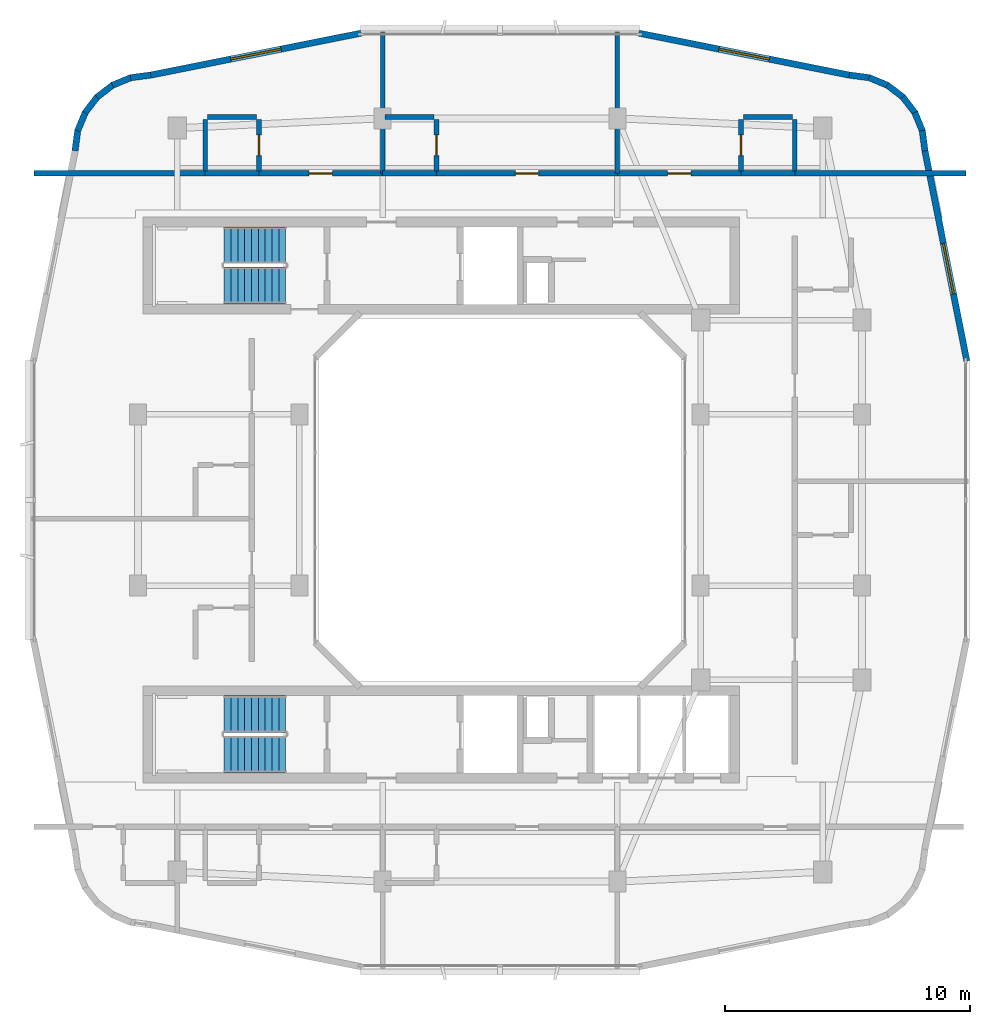
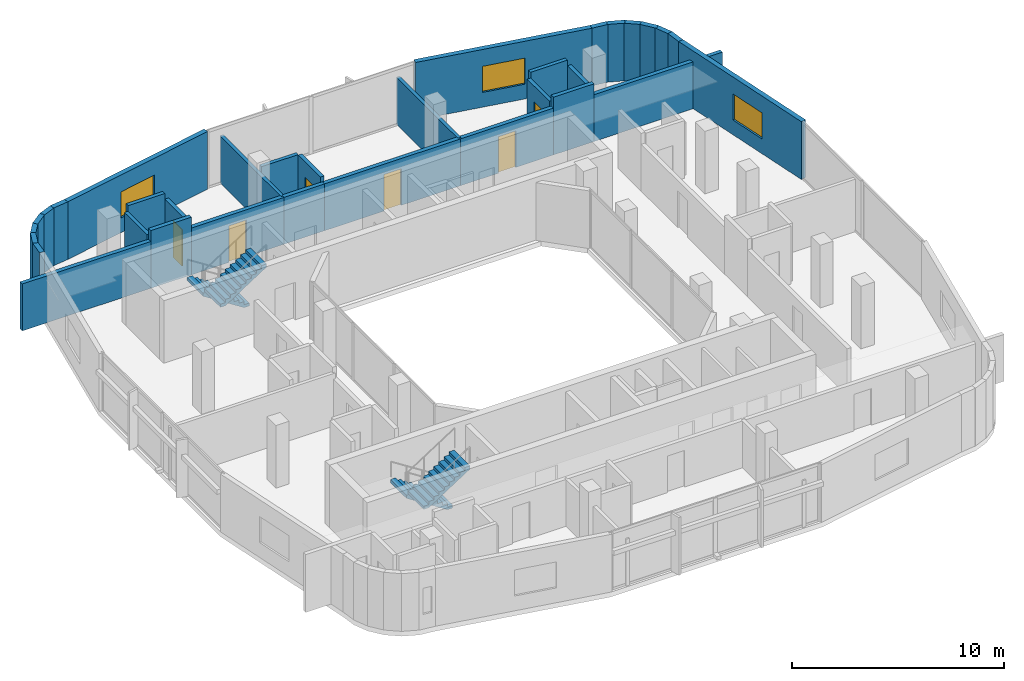
# One storey, part 9 of 14: 33 walls, 6 doors, 4 stair flights, 3 windows, 9 openings, 2 elements without a shape of their own.
"""IFC4 building model written with IfcOpenShell, lengths in metres."""

from ifc_helpers import new_model, si_unit, derived_unit, direction, frame, frame_2d, origin, place, context, subcontext, project, spatial, polyline, rectangle, outline, extrude, material, layer, layer_set, type_object, element, fill, aggregate, save


model = new_model("IFC4")

# Units and contexts
model_context = context("Model", 3, precision=1e-05, world=origin(), true_north=direction((0.0, 1.0)))
body_context = subcontext(model_context, "Body", "Model", "MODEL_VIEW")
ifc_project = project(units=[si_unit("LENGTHUNIT", "METRE"), si_unit("AREAUNIT", "SQUARE_METRE"), si_unit("VOLUMEUNIT", "CUBIC_METRE"), si_unit("PLANEANGLEUNIT", "RADIAN"), si_unit("MASSUNIT", "GRAM", prefix="KILO"), derived_unit("THERMALTRANSMITTANCEUNIT", [(si_unit("POWERUNIT", "WATT"), 1), (si_unit("LENGTHUNIT", "METRE"), -2), (si_unit("THERMODYNAMICTEMPERATUREUNIT", "KELVIN"), -1)])], contexts=[model_context])

# Site, building, storey
site_placement = place(None, origin())
site = spatial("IfcSite", under=ifc_project, at=site_placement, CompositionType="ELEMENT")
building_placement = place(site_placement, origin())
building = spatial("IfcBuilding", under=site, at=building_placement, Name="Kivonza Crest Hotel", CompositionType="ELEMENT")
storey_placement = place(building_placement, frame((0.0, 0.0, 217.10009765625)))
storey = spatial("IfcBuildingStorey", under=building, at=storey_placement, Name="L59", CompositionType="ELEMENT", Elevation=217.10009765625)

# Walls
ifc_material_1 = material(Name="High-density acoustic masonry inter-tenancy wall", Category="masonry")
ifc_layer_1 = layer(ifc_material_1, 0.179931640625)
ifc_layer_set_1 = layer_set([ifc_layer_1], Name="High-density acoustic masonry inter-tenancy wall")
wall_type_1 = type_object("IfcWallType", Name="WL-ACOU-180", PredefinedType="SOLIDWALL", material=ifc_layer_set_1)
for number, where, z_axis, x_axis, name in (
    (1, (16.199951171875, 38.35009765625, 0.0), (0.0, 0.0, 1.0), (0.0, 1.0, 0.0), "L59 interior partition WA-L59-T1N-DIV1"),
    (2, (25.800048828125, 38.35009765625, 0.0), (0.0, 0.0, 1.0), (0.0, 1.0, 0.0), "L59 interior partition WA-L59-T1N-DIV2"),
):
    element("IfcWall", number, at=place(storey_placement, frame(where, z_axis=z_axis, x_axis=x_axis)), inside=storey, type_object=wall_type_1, Name=name, PredefinedType="SOLIDWALL", context=body_context, shape_type="SweptSolid", body=[
        extrude(rectangle(XDim=5.789794921875, YDim=0.179931640625, at=frame_2d((2.89501953125, 0.0))), origin(), (0.0, 0.0, 1.0), 2.69482421875),
    ])
ifc_material_2 = material(Name="Autoclaved aerated concrete blockwork", Category="masonry")
ifc_layer_2 = layer(ifc_material_2, 0.219970703125)
ifc_layer_set_2 = layer_set([ifc_layer_2], Name="Autoclaved aerated concrete blockwork")
wall_type_2 = type_object("IfcWallType", Name="WL-ACOU-220", PredefinedType="SOLIDWALL", material=ifc_layer_set_2)
wall_1_placement = place(storey_placement, frame((1.9599609375, 38.35009765625, 0.0), z_axis=(0.0, 0.0, 1.0), x_axis=(1.0, 0.0, 0.0)))
element("IfcWall", 3, at=wall_1_placement, inside=storey, type_object=wall_type_2, Name="L59 interior partition WA-L59-N01-XCORR", PredefinedType="SOLIDWALL", context=body_context, shape_type="SweptSolid", body=[
    extrude(rectangle(XDim=6.989990234375, YDim=0.219970703125, at=frame_2d((3.4951171875, 0.0))), origin(), (0.0, 0.0, 1.0), 2.69482421875),
])
wall_2_placement = place(storey_placement, frame((8.949951171875, 38.35009765625, 0.0), z_axis=(0.0, 0.0, 1.0), x_axis=(1.0, 0.0, 0.0)))
element("IfcWall", 4, at=wall_2_placement, inside=storey, type_object=wall_type_2, Name="L59 interior partition WA-L59-N01-BCORR", PredefinedType="SOLIDWALL", context=body_context, shape_type="SweptSolid", body=[
    extrude(rectangle(XDim=2.199951171875, YDim=0.219970703125, at=frame_2d((1.10009765625, 0.0))), origin(), (0.0, 0.0, 1.0), 3.31982421875),
])

# Wall, opening, door
wall_3_placement = place(storey_placement, frame((11.14990234375, 38.35009765625, 0.0), z_axis=(0.0, 0.0, 1.0), x_axis=(1.0, 0.0, 0.0)))
wall_3 = element("IfcWall", 5, at=wall_3_placement, inside=storey, type_object=wall_type_2, Name="L59 interior partition WA-L59-N01-MCORR", PredefinedType="SOLIDWALL", context=body_context, shape_type="SweptSolid", body=[
    extrude(rectangle(XDim=5.050048828125, YDim=0.219970703125, at=frame_2d((2.52490234375, 0.0))), origin(), (0.0, 0.0, 1.0), 2.69482421875),
])
opening_1_placement = place(wall_3_placement, frame((2.050048828125, 0.0, 0.0)))
opening_1 = element("IfcOpeningElement", 6, at=opening_1_placement, cuts=wall_3, Name="Opening DU-60", PredefinedType="OPENING", context=body_context, shape_type="SweptSolid", body=[
    extrude(rectangle(XDim=0.949951171875, YDim=2.10009765625, at=frame_2d((0.47509765625, 1.050048828125))), frame((0.0, 0.1201171875, 0.0), z_axis=(0.0, -1.0, 0.0), x_axis=(1.0, 0.0, 0.0)), (0.0, 0.0, 1.0), 0.239990234375),
])
ifc_material_3 = material(Name="Hardwood timber oak", Category="wood")
door_type_1 = type_object("IfcDoorType", Name="DR-UNIT-950", OperationType="NOTDEFINED", PredefinedType="DOOR", material=ifc_material_3)
door_1_placement = place(opening_1_placement, origin())
door_1 = element("IfcDoor", 7, at=door_1_placement, inside=storey, type_object=door_type_1, Name="L59 N01 guest unit entrance fire door", OperationType="SINGLE_SWING_LEFT", OverallHeight=2.10009765625, OverallWidth=0.949951171875, PredefinedType="DOOR", context=body_context, shape_type="SweptSolid", body=[
    extrude(rectangle(XDim=0.949951171875, YDim=2.10009765625, at=frame_2d((0.47509765625, 1.050048828125))), frame((0.0, 0.02490234375, 0.0), z_axis=(0.0, -1.0, 0.0), x_axis=(1.0, 0.0, 0.0)), (0.0, 0.0, 1.0), 0.050048828125),
])
fill(opening_1, door_1)

# Wall
wall_4_placement = place(storey_placement, frame((16.199951171875, 38.35009765625, 0.0), z_axis=(0.0, 0.0, 1.0), x_axis=(1.0, 0.0, 0.0)))
element("IfcWall", 8, at=wall_4_placement, inside=storey, type_object=wall_type_2, Name="L59 interior partition WA-L59-N02-BCORR", PredefinedType="SOLIDWALL", context=body_context, shape_type="SweptSolid", body=[
    extrude(rectangle(XDim=2.199951171875, YDim=0.219970703125, at=frame_2d((1.10009765625, 0.0))), origin(), (0.0, 0.0, 1.0), 2.69482421875),
])

# Wall, opening, door
wall_5_placement = place(storey_placement, frame((18.39990234375, 38.35009765625, 0.0), z_axis=(0.0, 0.0, 1.0), x_axis=(1.0, 0.0, 0.0)))
wall_5 = element("IfcWall", 9, at=wall_5_placement, inside=storey, type_object=wall_type_2, Name="L59 interior partition WA-L59-N02-MCORR", PredefinedType="SOLIDWALL", context=body_context, shape_type="SweptSolid", body=[
    extrude(rectangle(XDim=7.400146484375, YDim=0.219970703125, at=frame_2d((3.7001953125, 0.0))), origin(), (0.0, 0.0, 1.0), 2.69482421875),
])
opening_2_placement = place(wall_5_placement, frame((3.22509765625, 0.0, 0.0)))
opening_2 = element("IfcOpeningElement", 10, at=opening_2_placement, cuts=wall_5, Name="Opening DU-60", PredefinedType="OPENING", context=body_context, shape_type="SweptSolid", body=[
    extrude(rectangle(XDim=0.949951171875, YDim=2.10009765625, at=frame_2d((0.47509765625, 1.050048828125))), frame((0.0, 0.1201171875, 0.0), z_axis=(0.0, -1.0, 0.0), x_axis=(1.0, 0.0, 0.0)), (0.0, 0.0, 1.0), 0.239990234375),
])
door_2_placement = place(opening_2_placement, origin())
door_2 = element("IfcDoor", 11, at=door_2_placement, inside=storey, type_object=door_type_1, Name="L59 N02 guest unit entrance fire door", OperationType="SINGLE_SWING_RIGHT", OverallHeight=2.10009765625, OverallWidth=0.949951171875, PredefinedType="DOOR", context=body_context, shape_type="SweptSolid", body=[
    extrude(rectangle(XDim=0.949951171875, YDim=2.10009765625, at=frame_2d((0.47509765625, 1.050048828125))), frame((0.0, 0.02490234375, 0.0), z_axis=(0.0, -1.0, 0.0), x_axis=(1.0, 0.0, 0.0)), (0.0, 0.0, 1.0), 0.050048828125),
])
fill(opening_2, door_2)

# Walls
wall_6_placement = place(storey_placement, frame((33.050048828125, 38.35009765625, 0.0), z_axis=(0.0, 0.0, 1.0), x_axis=(1.0, 0.0, 0.0)))
element("IfcWall", 12, at=wall_6_placement, inside=storey, type_object=wall_type_2, Name="L59 interior partition WA-L59-N03-XCORR", PredefinedType="SOLIDWALL", context=body_context, shape_type="SweptSolid", body=[
    extrude(rectangle(XDim=6.989990234375, YDim=0.219970703125, at=frame_2d((3.4951171875, 0.0))), origin(), (0.0, 0.0, 1.0), 2.69482421875),
])
wall_7_placement = place(storey_placement, frame((30.85009765625, 38.35009765625, 0.0), z_axis=(0.0, 0.0, 1.0), x_axis=(1.0, 0.0, 0.0)))
element("IfcWall", 13, at=wall_7_placement, inside=storey, type_object=wall_type_2, Name="L59 interior partition WA-L59-N03-BCORR", PredefinedType="SOLIDWALL", context=body_context, shape_type="SweptSolid", body=[
    extrude(rectangle(XDim=2.199951171875, YDim=0.219970703125, at=frame_2d((1.10009765625, 0.0))), origin(), (0.0, 0.0, 1.0), 3.31982421875),
])

# Wall, opening, door
wall_8_placement = place(storey_placement, frame((25.800048828125, 38.35009765625, 0.0), z_axis=(0.0, 0.0, 1.0), x_axis=(1.0, 0.0, 0.0)))
wall_8 = element("IfcWall", 14, at=wall_8_placement, inside=storey, type_object=wall_type_2, Name="L59 interior partition WA-L59-N03-MCORR", PredefinedType="SOLIDWALL", context=body_context, shape_type="SweptSolid", body=[
    extrude(rectangle(XDim=5.050048828125, YDim=0.219970703125, at=frame_2d((2.52490234375, 0.0))), origin(), (0.0, 0.0, 1.0), 2.69482421875),
])
opening_3_placement = place(wall_8_placement, frame((2.050048828125, 0.0, 0.0)))
opening_3 = element("IfcOpeningElement", 15, at=opening_3_placement, cuts=wall_8, Name="Opening DU-60", PredefinedType="OPENING", context=body_context, shape_type="SweptSolid", body=[
    extrude(rectangle(XDim=0.949951171875, YDim=2.10009765625, at=frame_2d((0.47509765625, 1.050048828125))), frame((0.0, 0.1201171875, 0.0), z_axis=(0.0, -1.0, 0.0), x_axis=(1.0, 0.0, 0.0)), (0.0, 0.0, 1.0), 0.239990234375),
])
door_3_placement = place(opening_3_placement, origin())
door_3 = element("IfcDoor", 16, at=door_3_placement, inside=storey, type_object=door_type_1, Name="L59 N03 guest unit entrance fire door", OperationType="SINGLE_SWING_LEFT", OverallHeight=2.10009765625, OverallWidth=0.949951171875, PredefinedType="DOOR", context=body_context, shape_type="SweptSolid", body=[
    extrude(rectangle(XDim=0.949951171875, YDim=2.10009765625, at=frame_2d((0.47509765625, 1.050048828125))), frame((0.0, 0.02490234375, 0.0), z_axis=(0.0, -1.0, 0.0), x_axis=(1.0, 0.0, 0.0)), (0.0, 0.0, 1.0), 0.050048828125),
])
fill(opening_3, door_3)

# Wall, opening, window
ifc_material_4 = material(Name="Precast concrete C40/50", Category="concrete")
ifc_layer_3 = layer(ifc_material_4, 0.260009765625)
ifc_layer_set_3 = layer_set([ifc_layer_3], Name="Precast concrete C40/50")
wall_type_3 = type_object("IfcWallType", Name="WL-EXT-260", PredefinedType="STANDARD", material=ifc_layer_set_3)
wall_9_placement = place(storey_placement, frame((40.083984375, 30.680908203125, 0.0), z_axis=(0.0, 0.0, 1.0), x_axis=(-0.195291715883, 0.980745199176, 0.0)))
wall_9 = element("IfcWall", 17, at=wall_9_placement, inside=storey, type_object=wall_type_3, Name="L59 T1 exterior insulated wall 18", PredefinedType="STANDARD", context=body_context, shape_type="SweptSolid", body=[
    extrude(rectangle(XDim=8.77099609375, YDim=0.260009765625, at=frame_2d((4.385498046875, 0.0))), origin(), (0.0, 0.0, 1.0), 3.31982421875),
])
opening_4_placement = place(wall_9_placement, frame((2.798095703125, 0.0, 0.85009765625)))
opening_4 = element("IfcOpeningElement", 18, at=opening_4_placement, cuts=wall_9, Name="Opening WN-04", PredefinedType="OPENING", context=body_context, shape_type="SweptSolid", body=[
    extrude(rectangle(XDim=2.10009765625, YDim=1.5, at=frame_2d((1.050048828125, 0.75))), frame((0.0, 0.14013671875, 0.0), z_axis=(0.0, -1.0, 0.0), x_axis=(1.0, 0.0, 0.0)), (0.0, 0.0, 1.0), 0.280029296875),
])
ifc_material_5 = material(Name="Thermally broken bronze aluminium and low-E double glazing", Category="aluminium")
window_type = type_object("IfcWindowType", Name="WN-210x150", PartitioningType="DOUBLE_PANEL_VERTICAL", PredefinedType="WINDOW", material=ifc_material_5)
window_1_placement = place(opening_4_placement, origin())
window_1 = element("IfcWindow", 19, at=window_1_placement, inside=storey, type_object=window_type, Name="L59 T1 facade window 18", OverallHeight=1.5, OverallWidth=2.10009765625, PartitioningType="SINGLE_PANEL", PredefinedType="WINDOW", context=body_context, shape_type="SweptSolid", body=[
    extrude(rectangle(XDim=2.10009765625, YDim=1.5, at=frame_2d((1.050048828125, 0.75))), frame((0.0, 0.030029296875, 0.0), z_axis=(0.0, -1.0, 0.0), x_axis=(1.0, 0.0, 0.0)), (0.0, 0.0, 1.0), 0.06005859375),
])
fill(opening_4, window_1)

# Walls
wall_10_placement = place(storey_placement, frame((38.3720703125, 39.27490234375, 0.0), z_axis=(0.0, 0.0, 1.0), x_axis=(-0.130954667764, 0.9913883573, 0.0)))
element("IfcWall", 20, at=wall_10_placement, inside=storey, type_object=wall_type_3, Name="L59 T1 exterior insulated wall 19", PredefinedType="STANDARD", context=body_context, shape_type="SweptSolid", body=[
    extrude(rectangle(XDim=0.833251953125, YDim=0.260009765625, at=frame_2d((0.41650390625, 0.0))), origin(), (0.0, 0.0, 1.0), 3.31982421875),
])
wall_11_placement = place(storey_placement, frame((38.281005859375, 40.054931640625, 0.0), z_axis=(0.0, 0.0, 1.0), x_axis=(-0.382985169477, 0.923754491172, 0.0)))
element("IfcWall", 21, at=wall_11_placement, inside=storey, type_object=wall_type_3, Name="L59 T1 exterior insulated wall 20", PredefinedType="STANDARD", context=body_context, shape_type="SweptSolid", body=[
    extrude(rectangle(XDim=0.85107421875, YDim=0.260009765625, at=frame_2d((0.425537109375, 0.0))), origin(), (0.0, 0.0, 1.0), 3.31982421875),
])
for number, where, z_axis, x_axis, name in (
    (22, (37.98291015625, 40.801025390625, 0.0), (0.0, 0.0, 1.0), (-0.607918988881, 0.793999057278, 0.0), "L59 T1 exterior insulated wall 21"),
    (23, (37.50390625, 41.445068359375, 0.0), (0.0, 0.0, 1.0), (-0.793892896323, 0.608057619941, 0.0), "L59 T1 exterior insulated wall 22"),
):
    element("IfcWall", number, at=place(storey_placement, frame(where, z_axis=z_axis, x_axis=x_axis)), inside=storey, type_object=wall_type_3, Name=name, PredefinedType="STANDARD", context=body_context, shape_type="SweptSolid", body=[
        extrude(rectangle(XDim=0.85009765625, YDim=0.260009765625, at=frame_2d((0.425048828125, 0.0))), origin(), (0.0, 0.0, 1.0), 3.31982421875),
    ])
wall_12_placement = place(storey_placement, frame((36.873046875, 41.94091796875, 0.0), z_axis=(0.0, 0.0, 1.0), x_axis=(-0.923652976167, 0.383229930484, 0.0)))
element("IfcWall", 24, at=wall_12_placement, inside=storey, type_object=wall_type_3, Name="L59 T1 exterior insulated wall 23", PredefinedType="STANDARD", context=body_context, shape_type="SweptSolid", body=[
    extrude(rectangle(XDim=0.85107421875, YDim=0.260009765625, at=frame_2d((0.425537109375, 0.0))), origin(), (0.0, 0.0, 1.0), 3.31982421875),
])
wall_13_placement = place(storey_placement, frame((36.135986328125, 42.259033203125, 0.0), z_axis=(0.0, 0.0, 1.0), x_axis=(-0.991493480548, 0.130156359936, 0.0)))
element("IfcWall", 25, at=wall_13_placement, inside=storey, type_object=wall_type_3, Name="L59 T1 exterior insulated wall 24", PredefinedType="STANDARD", context=body_context, shape_type="SweptSolid", body=[
    extrude(rectangle(XDim=0.868408203125, YDim=0.260009765625, at=frame_2d((0.43408203125, 0.0))), origin(), (0.0, 0.0, 1.0), 3.31982421875),
])

# Wall, opening, window
wall_14_placement = place(storey_placement, frame((35.282958984375, 42.37109375, 0.0), z_axis=(0.0, 0.0, 1.0), x_axis=(-0.980745199176, 0.195291715883, 0.0)))
wall_14 = element("IfcWall", 26, at=wall_14_placement, inside=storey, type_object=wall_type_3, Name="L59 T1 exterior insulated wall 25", PredefinedType="STANDARD", context=body_context, shape_type="SweptSolid", body=[
    extrude(rectangle(XDim=8.77099609375, YDim=0.260009765625, at=frame_2d((4.385498046875, 0.0))), origin(), (0.0, 0.0, 1.0), 3.31982421875),
])
opening_5_placement = place(wall_14_placement, frame((3.3349609375, 0.0, 0.85009765625)))
opening_5 = element("IfcOpeningElement", 27, at=opening_5_placement, cuts=wall_14, Name="Opening WN-04", PredefinedType="OPENING", context=body_context, shape_type="SweptSolid", body=[
    extrude(rectangle(XDim=2.10009765625, YDim=1.5, at=frame_2d((1.050048828125, 0.75))), frame((0.0, 0.14013671875, 0.0), z_axis=(0.0, -1.0, 0.0), x_axis=(1.0, 0.0, 0.0)), (0.0, 0.0, 1.0), 0.280029296875),
])
window_2_placement = place(opening_5_placement, origin())
window_2 = element("IfcWindow", 28, at=window_2_placement, inside=storey, type_object=window_type, Name="L59 T1 facade window 25", OverallHeight=1.5, OverallWidth=2.10009765625, PartitioningType="SINGLE_PANEL", PredefinedType="WINDOW", context=body_context, shape_type="SweptSolid", body=[
    extrude(rectangle(XDim=2.10009765625, YDim=1.5, at=frame_2d((1.050048828125, 0.75))), frame((0.0, 0.030029296875, 0.0), z_axis=(0.0, -1.0, 0.0), x_axis=(1.0, 0.0, 0.0)), (0.0, 0.0, 1.0), 0.06005859375),
])
fill(opening_5, window_2)

wall_15_placement = place(storey_placement, frame((15.319091796875, 44.083984375, 0.0), z_axis=(0.0, 0.0, 1.0), x_axis=(-0.980745199176, -0.195291715883, 0.0)))
wall_15 = element("IfcWall", 29, at=wall_15_placement, inside=storey, type_object=wall_type_3, Name="L59 T1 exterior insulated wall 27", PredefinedType="STANDARD", context=body_context, shape_type="SweptSolid", body=[
    extrude(rectangle(XDim=8.77099609375, YDim=0.260009765625, at=frame_2d((4.385498046875, 0.0))), origin(), (0.0, 0.0, 1.0), 3.31982421875),
])
opening_6_placement = place(wall_15_placement, frame((3.3349609375, 0.0, 0.85009765625)))
opening_6 = element("IfcOpeningElement", 30, at=opening_6_placement, cuts=wall_15, Name="Opening WN-04", PredefinedType="OPENING", context=body_context, shape_type="SweptSolid", body=[
    extrude(rectangle(XDim=2.10009765625, YDim=1.5, at=frame_2d((1.050048828125, 0.75))), frame((0.0, 0.14013671875, 0.0), z_axis=(0.0, -1.0, 0.0), x_axis=(1.0, 0.0, 0.0)), (0.0, 0.0, 1.0), 0.280029296875),
])
window_3_placement = place(opening_6_placement, origin())
window_3 = element("IfcWindow", 31, at=window_3_placement, inside=storey, type_object=window_type, Name="L59 T1 facade window 27", OverallHeight=1.5, OverallWidth=2.10009765625, PartitioningType="SINGLE_PANEL", PredefinedType="WINDOW", context=body_context, shape_type="SweptSolid", body=[
    extrude(rectangle(XDim=2.10009765625, YDim=1.5, at=frame_2d((1.050048828125, 0.75))), frame((0.0, 0.030029296875, 0.0), z_axis=(0.0, -1.0, 0.0), x_axis=(1.0, 0.0, 0.0)), (0.0, 0.0, 1.0), 0.06005859375),
])
fill(opening_6, window_3)

# Walls
wall_16_placement = place(storey_placement, frame((6.72509765625, 42.3720703125, 0.0), z_axis=(0.0, 0.0, 1.0), x_axis=(-0.9913883573, -0.130954667764, 0.0)))
element("IfcWall", 32, at=wall_16_placement, inside=storey, type_object=wall_type_3, Name="L59 T1 exterior insulated wall 28", PredefinedType="STANDARD", context=body_context, shape_type="SweptSolid", body=[
    extrude(rectangle(XDim=0.833251953125, YDim=0.260009765625, at=frame_2d((0.41650390625, 0.0))), origin(), (0.0, 0.0, 1.0), 3.31982421875),
])
wall_17_placement = place(storey_placement, frame((5.945068359375, 42.281005859375, 0.0), z_axis=(0.0, 0.0, 1.0), x_axis=(-0.923754491172, -0.382985169477, 0.0)))
element("IfcWall", 33, at=wall_17_placement, inside=storey, type_object=wall_type_3, Name="L59 T1 exterior insulated wall 29", PredefinedType="STANDARD", context=body_context, shape_type="SweptSolid", body=[
    extrude(rectangle(XDim=0.85107421875, YDim=0.260009765625, at=frame_2d((0.425537109375, 0.0))), origin(), (0.0, 0.0, 1.0), 3.31982421875),
])
for number, where, z_axis, x_axis, name in (
    (34, (5.198974609375, 41.98291015625, 0.0), (0.0, 0.0, 1.0), (-0.793999057278, -0.607918988881, 0.0), "L59 T1 exterior insulated wall 30"),
    (35, (4.554931640625, 41.50390625, 0.0), (0.0, 0.0, 1.0), (-0.608057619941, -0.793892896323, 0.0), "L59 T1 exterior insulated wall 31"),
):
    element("IfcWall", number, at=place(storey_placement, frame(where, z_axis=z_axis, x_axis=x_axis)), inside=storey, type_object=wall_type_3, Name=name, PredefinedType="STANDARD", context=body_context, shape_type="SweptSolid", body=[
        extrude(rectangle(XDim=0.85009765625, YDim=0.260009765625, at=frame_2d((0.425048828125, 0.0))), origin(), (0.0, 0.0, 1.0), 3.31982421875),
    ])
wall_18_placement = place(storey_placement, frame((4.05908203125, 40.873046875, 0.0), z_axis=(0.0, 0.0, 1.0), x_axis=(-0.383229930484, -0.923652976167, 0.0)))
element("IfcWall", 36, at=wall_18_placement, inside=storey, type_object=wall_type_3, Name="L59 T1 exterior insulated wall 32", PredefinedType="STANDARD", context=body_context, shape_type="SweptSolid", body=[
    extrude(rectangle(XDim=0.85107421875, YDim=0.260009765625, at=frame_2d((0.425537109375, 0.0))), origin(), (0.0, 0.0, 1.0), 3.31982421875),
])
wall_19_placement = place(storey_placement, frame((3.740966796875, 40.135986328125, 0.0), z_axis=(0.0, 0.0, 1.0), x_axis=(-0.130156359936, -0.991493480548, 0.0)))
element("IfcWall", 37, at=wall_19_placement, inside=storey, type_object=wall_type_3, Name="L59 T1 exterior insulated wall 33", PredefinedType="STANDARD", context=body_context, shape_type="SweptSolid", body=[
    extrude(rectangle(XDim=0.868408203125, YDim=0.260009765625, at=frame_2d((0.43408203125, 0.0))), origin(), (0.0, 0.0, 1.0), 3.31982421875),
])

# Wall, opening, door
ifc_material_6 = material(Name="Moisture-resistant plumbing chase partition wall", Category="gypsum")
ifc_layer_4 = layer(ifc_material_6, 0.199951171875)
ifc_layer_set_4 = layer_set([ifc_layer_4], Name="Moisture-resistant plumbing chase partition wall")
wall_type_4 = type_object("IfcWallType", Name="WL-PLUMB-200", PredefinedType="PLUMBINGWALL", material=ifc_layer_set_4)
wall_20_placement = place(storey_placement, frame((11.14990234375, 38.449951171875, 0.0), z_axis=(0.0, 0.0, 1.0), x_axis=(0.0, 1.0, 0.0)))
wall_20 = element("IfcWall", 38, at=wall_20_placement, inside=storey, type_object=wall_type_4, Name="L59 interior partition WW-L59-N01-BV", PredefinedType="PLUMBINGWALL", context=body_context, shape_type="SweptSolid", body=[
    extrude(rectangle(XDim=2.10009765625, YDim=0.199951171875, at=frame_2d((1.050048828125, 0.0))), origin(), (0.0, 0.0, 1.0), 2.994873046875),
])
opening_7_placement = place(wall_20_placement, frame((0.625, 0.0, 0.0)))
opening_7 = element("IfcOpeningElement", 39, at=opening_7_placement, cuts=wall_20, Name="Opening DI-85", PredefinedType="OPENING", context=body_context, shape_type="SweptSolid", body=[
    extrude(rectangle(XDim=0.85009765625, YDim=2.10009765625, at=frame_2d((0.425048828125, 1.050048828125))), frame((0.0, 0.10986328125, 0.0), z_axis=(0.0, -1.0, 0.0), x_axis=(1.0, 0.0, 0.0)), (0.0, 0.0, 1.0), 0.219970703125),
])
door_type_2 = type_object("IfcDoorType", Name="DR-INT-850", OperationType="NOTDEFINED", PredefinedType="DOOR", material=ifc_material_3)
door_4_placement = place(opening_7_placement, frame((0.85009765625, 0.0, 0.0), z_axis=(0.0, 0.0, 1.0), x_axis=(-1.0, 0.0, 0.0)))
door_4 = element("IfcDoor", 40, at=door_4_placement, inside=storey, type_object=door_type_2, Name="L59 N01 en-suite bathroom door", OperationType="SINGLE_SWING_RIGHT", OverallHeight=2.10009765625, OverallWidth=0.85009765625, PredefinedType="DOOR", context=body_context, shape_type="SweptSolid", body=[
    extrude(rectangle(XDim=0.85009765625, YDim=2.10009765625, at=frame_2d((0.425048828125, 1.050048828125))), frame((0.0, 0.02490234375, 0.0), z_axis=(0.0, -1.0, 0.0), x_axis=(1.0, 0.0, 0.0)), (0.0, 0.0, 1.0), 0.050048828125),
])
fill(opening_7, door_4)

# Walls
wall_21_placement = place(storey_placement, frame((9.050048828125, 40.64990234375, 0.0), z_axis=(0.0, 0.0, 1.0), x_axis=(1.0, 0.0, 0.0)))
element("IfcWall", 41, at=wall_21_placement, inside=storey, type_object=wall_type_4, Name="L59 interior partition WW-L59-N01-BH", PredefinedType="PLUMBINGWALL", context=body_context, shape_type="SweptSolid", body=[
    extrude(rectangle(XDim=2.0, YDim=0.199951171875, at=frame_2d((1.0, 0.0))), origin(), (0.0, 0.0, 1.0), 3.31982421875),
])
wall_22_placement = place(storey_placement, frame((8.949951171875, 38.449951171875, 0.0), z_axis=(0.0, 0.0, 1.0), x_axis=(0.0, 1.0, 0.0)))
element("IfcWall", 42, at=wall_22_placement, inside=storey, type_object=wall_type_4, Name="L59 interior partition WW-L59-N01-BVW", PredefinedType="PLUMBINGWALL", context=body_context, shape_type="SweptSolid", body=[
    extrude(rectangle(XDim=2.10009765625, YDim=0.199951171875, at=frame_2d((1.050048828125, 0.0))), origin(), (0.0, 0.0, 1.0), 2.994873046875),
])

# Wall, opening, door
wall_23_placement = place(storey_placement, frame((18.39990234375, 38.449951171875, 0.0), z_axis=(0.0, 0.0, 1.0), x_axis=(0.0, 1.0, 0.0)))
wall_23 = element("IfcWall", 43, at=wall_23_placement, inside=storey, type_object=wall_type_4, Name="L59 interior partition WW-L59-N02-BV", PredefinedType="PLUMBINGWALL", context=body_context, shape_type="SweptSolid", body=[
    extrude(rectangle(XDim=2.10009765625, YDim=0.199951171875, at=frame_2d((1.050048828125, 0.0))), origin(), (0.0, 0.0, 1.0), 2.994873046875),
])
opening_8_placement = place(wall_23_placement, frame((0.625, 0.0, 0.0)))
opening_8 = element("IfcOpeningElement", 44, at=opening_8_placement, cuts=wall_23, Name="Opening DI-85", PredefinedType="OPENING", context=body_context, shape_type="SweptSolid", body=[
    extrude(rectangle(XDim=0.85009765625, YDim=2.10009765625, at=frame_2d((0.425048828125, 1.050048828125))), frame((0.0, 0.10986328125, 0.0), z_axis=(0.0, -1.0, 0.0), x_axis=(1.0, 0.0, 0.0)), (0.0, 0.0, 1.0), 0.219970703125),
])
door_5_placement = place(opening_8_placement, frame((0.85009765625, 0.0, 0.0), z_axis=(0.0, 0.0, 1.0), x_axis=(-1.0, 0.0, 0.0)))
door_5 = element("IfcDoor", 45, at=door_5_placement, inside=storey, type_object=door_type_2, Name="L59 N02 en-suite bathroom door", OperationType="SINGLE_SWING_LEFT", OverallHeight=2.10009765625, OverallWidth=0.85009765625, PredefinedType="DOOR", context=body_context, shape_type="SweptSolid", body=[
    extrude(rectangle(XDim=0.85009765625, YDim=2.10009765625, at=frame_2d((0.425048828125, 1.050048828125))), frame((0.0, 0.02490234375, 0.0), z_axis=(0.0, -1.0, 0.0), x_axis=(1.0, 0.0, 0.0)), (0.0, 0.0, 1.0), 0.050048828125),
])
fill(opening_8, door_5)

# Wall
wall_24_placement = place(storey_placement, frame((16.300048828125, 40.64990234375, 0.0), z_axis=(0.0, 0.0, 1.0), x_axis=(1.0, 0.0, 0.0)))
element("IfcWall", 46, at=wall_24_placement, inside=storey, type_object=wall_type_4, Name="L59 interior partition WW-L59-N02-BH", PredefinedType="PLUMBINGWALL", context=body_context, shape_type="SweptSolid", body=[
    extrude(rectangle(XDim=2.0, YDim=0.199951171875, at=frame_2d((1.0, 0.0))), origin(), (0.0, 0.0, 1.0), 3.014892578125),
])

# Wall, opening, door
wall_25_placement = place(storey_placement, frame((30.85009765625, 38.449951171875, 0.0), z_axis=(0.0, 0.0, 1.0), x_axis=(0.0, 1.0, 0.0)))
wall_25 = element("IfcWall", 47, at=wall_25_placement, inside=storey, type_object=wall_type_4, Name="L59 interior partition WW-L59-N03-BV", PredefinedType="PLUMBINGWALL", context=body_context, shape_type="SweptSolid", body=[
    extrude(rectangle(XDim=2.10009765625, YDim=0.199951171875, at=frame_2d((1.050048828125, 0.0))), origin(), (0.0, 0.0, 1.0), 2.994873046875),
])
opening_9_placement = place(wall_25_placement, frame((0.625, 0.0, 0.0)))
opening_9 = element("IfcOpeningElement", 48, at=opening_9_placement, cuts=wall_25, Name="Opening DI-85", PredefinedType="OPENING", context=body_context, shape_type="SweptSolid", body=[
    extrude(rectangle(XDim=0.85009765625, YDim=2.10009765625, at=frame_2d((0.425048828125, 1.050048828125))), frame((0.0, 0.10986328125, 0.0), z_axis=(0.0, -1.0, 0.0), x_axis=(1.0, 0.0, 0.0)), (0.0, 0.0, 1.0), 0.219970703125),
])
door_6_placement = place(opening_9_placement, origin())
door_6 = element("IfcDoor", 49, at=door_6_placement, inside=storey, type_object=door_type_2, Name="L59 N03 en-suite bathroom door", OperationType="SINGLE_SWING_RIGHT", OverallHeight=2.10009765625, OverallWidth=0.85009765625, PredefinedType="DOOR", context=body_context, shape_type="SweptSolid", body=[
    extrude(rectangle(XDim=0.85009765625, YDim=2.10009765625, at=frame_2d((0.425048828125, 1.050048828125))), frame((0.0, 0.02490234375, 0.0), z_axis=(0.0, -1.0, 0.0), x_axis=(1.0, 0.0, 0.0)), (0.0, 0.0, 1.0), 0.050048828125),
])
fill(opening_9, door_6)

# Walls
wall_26_placement = place(storey_placement, frame((30.949951171875, 40.64990234375, 0.0), z_axis=(0.0, 0.0, 1.0), x_axis=(1.0, 0.0, 0.0)))
element("IfcWall", 50, at=wall_26_placement, inside=storey, type_object=wall_type_4, Name="L59 interior partition WW-L59-N03-BH", PredefinedType="PLUMBINGWALL", context=body_context, shape_type="SweptSolid", body=[
    extrude(rectangle(XDim=2.0, YDim=0.199951171875, at=frame_2d((1.0, 0.0))), origin(), (0.0, 0.0, 1.0), 3.31982421875),
])
wall_27_placement = place(storey_placement, frame((33.050048828125, 38.449951171875, 0.0), z_axis=(0.0, 0.0, 1.0), x_axis=(0.0, 1.0, 0.0)))
element("IfcWall", 51, at=wall_27_placement, inside=storey, type_object=wall_type_4, Name="L59 interior partition WW-L59-N03-BVE", PredefinedType="PLUMBINGWALL", context=body_context, shape_type="SweptSolid", body=[
    extrude(rectangle(XDim=2.10009765625, YDim=0.199951171875, at=frame_2d((1.050048828125, 0.0))), origin(), (0.0, 0.0, 1.0), 2.994873046875),
])

# Stair, stair flights
ifc_material_7 = material(Name="Concrete C40/50", Category="concrete")
stair_type = type_object("IfcStairType", Name="ST-DL-20R", PredefinedType="HALF_TURN_STAIR", material=ifc_material_7)
stair_1_placement = place(storey_placement, origin())
stair_1 = element("IfcStair", 52, at=stair_1_placement, inside=storey, type_object=stair_type, Name="L59 Protected Exit Stair ST-T1-N", PredefinedType="HALF_TURN_STAIR")
stair_flight_type = type_object("IfcStairFlightType", Name="SFL-RC-10R", PredefinedType="STRAIGHT", material=ifc_material_7)
stair_flight_1_placement = place(storey_placement, frame((12.239990234375, 35.409912109375, 0.0), z_axis=(0.0, 0.0, 1.0), x_axis=(-1.0, 0.0, 0.0)))
stair_flight_1 = element("IfcStairFlight", 53, at=stair_flight_1_placement, type_object=stair_flight_type, Name="ST-T1-N flight 1", NumberOfRisers=10, NumberOfTreads=9, PredefinedType="STRAIGHT", RiserHeight=0.18, TreadLength=0.28, context=body_context, shape_type="SweptSolid", body=[
    extrude(outline(polyline([(0.0, 0.0), (0.0, 0.179931640625), (0.280029296875, 0.179931640625), (0.280029296875, 0.360107421875), (0.56005859375, 0.360107421875), (0.56005859375, 0.5400390625), (0.840087890625, 0.5400390625), (0.840087890625, 0.719970703125), (1.1201171875, 0.719970703125), (1.1201171875, 0.89990234375), (1.39990234375, 0.89990234375), (1.39990234375, 1.080078125), (1.679931640625, 1.080078125), (1.679931640625, 1.260009765625), (1.9599609375, 1.260009765625), (1.9599609375, 1.43994140625), (2.239990234375, 1.43994140625), (2.239990234375, 1.6201171875), (2.52001953125, 1.6201171875), (2.52001953125, 1.800048828125), (2.52001953125, 1.44189453125), (0.277099609375, 0.0), (0.0, 0.0)])), frame((0.0, 0.75, 0.0), z_axis=(0.0, -1.0, 0.0), x_axis=(1.0, 0.0, 0.0)), (0.0, 0.0, 1.0), 1.5),
])
stair_flight_2_placement = place(storey_placement, frame((9.719970703125, 33.77001953125, 1.7998046875), z_axis=(0.0, 0.0, 1.0), x_axis=(1.0, 0.0, 0.0)))
stair_flight_2 = element("IfcStairFlight", 54, at=stair_flight_2_placement, type_object=stair_flight_type, Name="ST-T1-N flight 2", NumberOfRisers=10, NumberOfTreads=9, PredefinedType="STRAIGHT", RiserHeight=0.18, TreadLength=0.28, context=body_context, shape_type="SweptSolid", body=[
    extrude(outline(polyline([(0.0, 0.0), (0.0, 0.179931640625), (0.280029296875, 0.179931640625), (0.280029296875, 0.360107421875), (0.56005859375, 0.360107421875), (0.56005859375, 0.5400390625), (0.840087890625, 0.5400390625), (0.840087890625, 0.719970703125), (1.1201171875, 0.719970703125), (1.1201171875, 0.89990234375), (1.39990234375, 0.89990234375), (1.39990234375, 1.080078125), (1.679931640625, 1.080078125), (1.679931640625, 1.260009765625), (1.9599609375, 1.260009765625), (1.9599609375, 1.43994140625), (2.239990234375, 1.43994140625), (2.239990234375, 1.6201171875), (2.52001953125, 1.6201171875), (2.52001953125, 1.800048828125), (2.52001953125, 1.44189453125), (0.277099609375, 0.0), (0.0, 0.0)])), frame((0.0, 0.75, 0.0), z_axis=(0.0, -1.0, 0.0), x_axis=(1.0, 0.0, 0.0)), (0.0, 0.0, 1.0), 1.5),
])
aggregate(stair_1, [stair_flight_1, stair_flight_2])

stair_2_placement = place(storey_placement, origin())
stair_2 = element("IfcStair", 55, at=stair_2_placement, inside=storey, type_object=stair_type, Name="L59 Protected Exit Stair ST-T1-S", PredefinedType="HALF_TURN_STAIR")
stair_flight_3_placement = place(storey_placement, frame((12.239990234375, 16.25, 0.0), z_axis=(0.0, 0.0, 1.0), x_axis=(-1.0, 0.0, 0.0)))
stair_flight_3 = element("IfcStairFlight", 56, at=stair_flight_3_placement, type_object=stair_flight_type, Name="ST-T1-S flight 1", NumberOfRisers=10, NumberOfTreads=9, PredefinedType="STRAIGHT", RiserHeight=0.18, TreadLength=0.28, context=body_context, shape_type="SweptSolid", body=[
    extrude(outline(polyline([(0.0, 0.0), (0.0, 0.179931640625), (0.280029296875, 0.179931640625), (0.280029296875, 0.360107421875), (0.56005859375, 0.360107421875), (0.56005859375, 0.5400390625), (0.840087890625, 0.5400390625), (0.840087890625, 0.719970703125), (1.1201171875, 0.719970703125), (1.1201171875, 0.89990234375), (1.39990234375, 0.89990234375), (1.39990234375, 1.080078125), (1.679931640625, 1.080078125), (1.679931640625, 1.260009765625), (1.9599609375, 1.260009765625), (1.9599609375, 1.43994140625), (2.239990234375, 1.43994140625), (2.239990234375, 1.6201171875), (2.52001953125, 1.6201171875), (2.52001953125, 1.800048828125), (2.52001953125, 1.44189453125), (0.277099609375, 0.0), (0.0, 0.0)])), frame((0.0, 0.75, 0.0), z_axis=(0.0, -1.0, 0.0), x_axis=(1.0, 0.0, 0.0)), (0.0, 0.0, 1.0), 1.5),
])
stair_flight_4_placement = place(storey_placement, frame((9.719970703125, 14.610107421875, 1.7998046875), z_axis=(0.0, 0.0, 1.0), x_axis=(1.0, 0.0, 0.0)))
stair_flight_4 = element("IfcStairFlight", 57, at=stair_flight_4_placement, type_object=stair_flight_type, Name="ST-T1-S flight 2", NumberOfRisers=10, NumberOfTreads=9, PredefinedType="STRAIGHT", RiserHeight=0.18, TreadLength=0.28, context=body_context, shape_type="SweptSolid", body=[
    extrude(outline(polyline([(0.0, 0.0), (0.0, 0.179931640625), (0.280029296875, 0.179931640625), (0.280029296875, 0.360107421875), (0.56005859375, 0.360107421875), (0.56005859375, 0.5400390625), (0.840087890625, 0.5400390625), (0.840087890625, 0.719970703125), (1.1201171875, 0.719970703125), (1.1201171875, 0.89990234375), (1.39990234375, 0.89990234375), (1.39990234375, 1.080078125), (1.679931640625, 1.080078125), (1.679931640625, 1.260009765625), (1.9599609375, 1.260009765625), (1.9599609375, 1.43994140625), (2.239990234375, 1.43994140625), (2.239990234375, 1.6201171875), (2.52001953125, 1.6201171875), (2.52001953125, 1.800048828125), (2.52001953125, 1.44189453125), (0.277099609375, 0.0), (0.0, 0.0)])), frame((0.0, 0.75, 0.0), z_axis=(0.0, -1.0, 0.0), x_axis=(1.0, 0.0, 0.0)), (0.0, 0.0, 1.0), 1.5),
])
aggregate(stair_2, [stair_flight_3, stair_flight_4])

save(model, "model.ifc")
